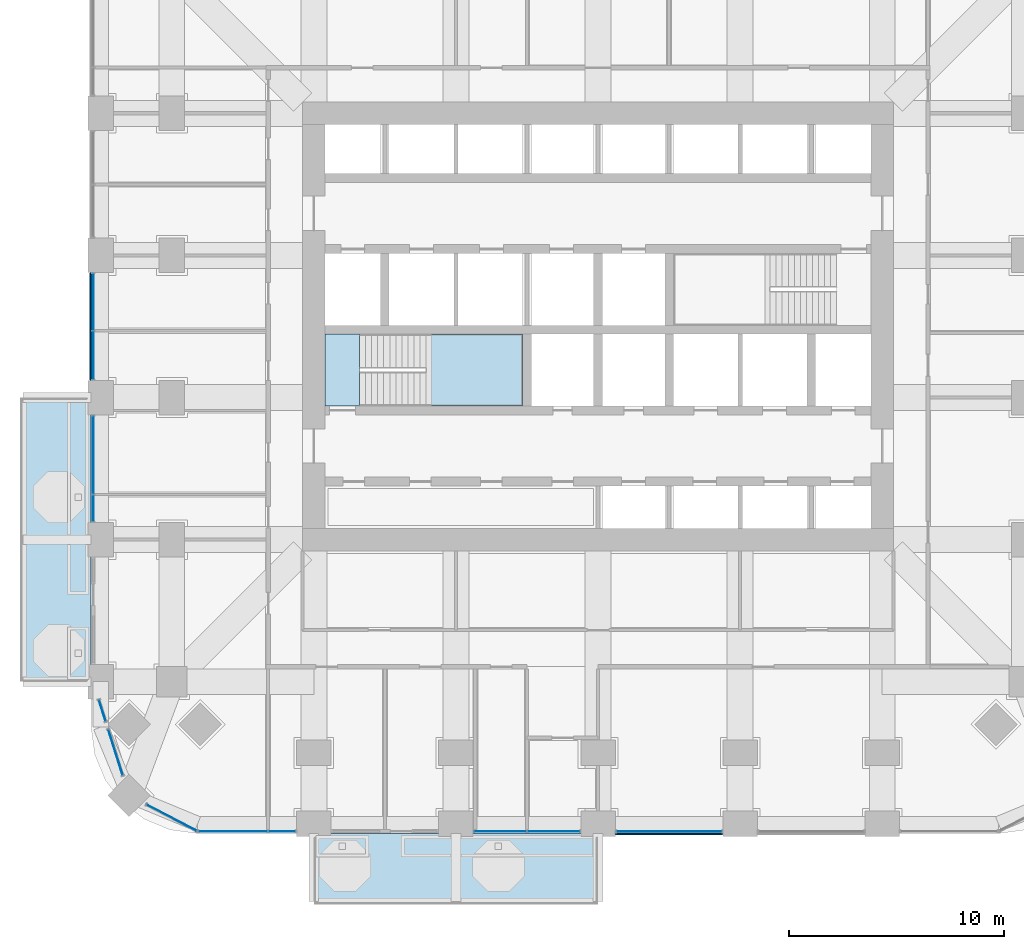
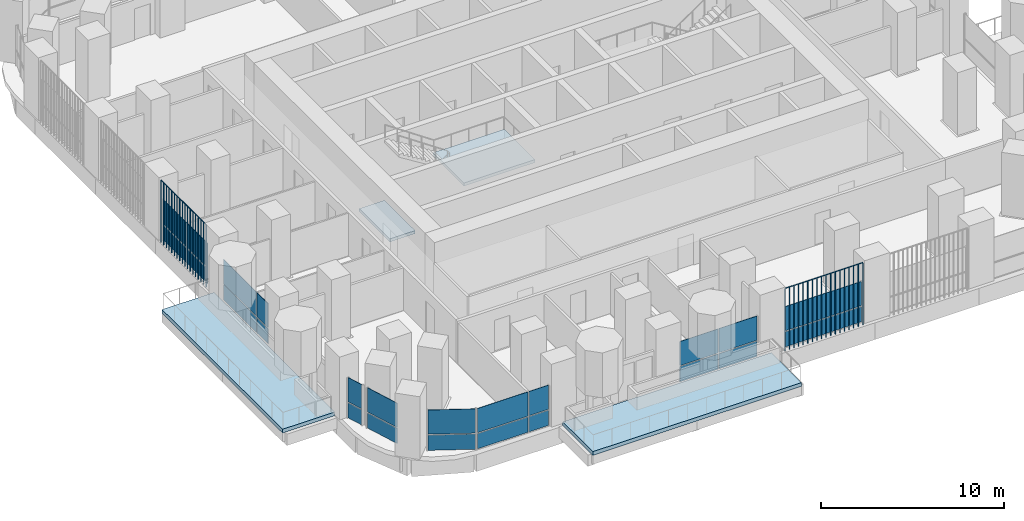
# One storey, part 8 of 21: 26 plates, 4 slabs, 9 elements without a shape of their own.
"""IFC4 building model written with IfcOpenShell, lengths in metres."""

from ifc_helpers import new_model, si_unit, direction, frame, origin, origin_2d, place, context, subcontext, project, spatial, polyline, rectangle, outline, extrude, material, layer, layer_set, type_object, element, aggregate, save


model = new_model("IFC4")

# Units and contexts
model_context = context("Model", 3, precision=1e-05, world=origin(), true_north=direction((0.0, 1.0)))
body_context = subcontext(model_context, "Body", "Model", "MODEL_VIEW")
ifc_project = project(units=[si_unit("LENGTHUNIT", "METRE"), si_unit("AREAUNIT", "SQUARE_METRE"), si_unit("VOLUMEUNIT", "CUBIC_METRE"), si_unit("PLANEANGLEUNIT", "RADIAN"), si_unit("MASSUNIT", "GRAM", prefix="KILO")], contexts=[model_context])

# Site, building, storey
site_placement = place(None, origin())
site = spatial("IfcSite", under=ifc_project, at=site_placement, CompositionType="ELEMENT")
building_placement = place(site_placement, origin())
building = spatial("IfcBuilding", under=site, at=building_placement, Name="Cobogo Forest Laboratory Tower", CompositionType="ELEMENT")
storey_placement = place(building_placement, frame((0.0, 0.0, 90.60009765625)))
storey = spatial("IfcBuildingStorey", under=building, at=storey_placement, Name="L20", CompositionType="ELEMENT", Elevation=90.60009765625)

# Slabs
ifc_material_1 = material(Name="Concrete HA-40 (C40/50)", Category="concrete")
ifc_layer_1 = layer(ifc_material_1, 0.25)
ifc_layer_set_1 = layer_set([ifc_layer_1], Name="Balcony slab 250")
slab_type_1 = type_object("IfcSlabType", Name="Balcony slab 250", PredefinedType="FLOOR", material=ifc_layer_set_1)
slab_1_placement = place(storey_placement, frame((0.0, 0.0, -0.25)))
element("IfcSlab", 1, at=slab_1_placement, inside=storey, type_object=slab_type_1, Name="Balcony BAL-S1 L20", PredefinedType="FLOOR", context=body_context, shape_type="SweptSolid", body=[
    extrude(outline(polyline([(13.199951171875, -3.75), (26.39990234375, -3.75), (26.39990234375, -0.449951171875), (13.199951171875, -0.449951171875), (13.199951171875, -3.75)])), origin(), (0.0, 0.0, 1.0), 0.25),
])
slab_2_placement = place(storey_placement, frame((0.0, 0.0, -0.25)))
element("IfcSlab", 2, at=slab_2_placement, inside=storey, type_object=slab_type_1, Name="Balcony BAL-W1 L20", PredefinedType="FLOOR", context=body_context, shape_type="SweptSolid", body=[
    extrude(outline(polyline([(-0.449951171875, 6.60009765625), (2.85009765625, 6.60009765625), (2.85009765625, 19.800048828125), (-0.449951171875, 19.800048828125), (-0.449951171875, 6.60009765625)])), origin(), (0.0, 0.0, 1.0), 0.25),
])

# Curtain wall, plates
ifc_material_2 = material(Name="Aluminium curtain wall", Category="aluminium")
curtain_wall_type = type_object("IfcCurtainWallType", Name="CW-1 unitised curtain wall, clear glazing, laboratory floors zones A and B", PredefinedType="USERDEFINED", material=ifc_material_2)
curtain_wall_1_placement = place(storey_placement, origin())
curtain_wall_1 = element("IfcCurtainWall", 3, at=curtain_wall_1_placement, inside=storey, type_object=curtain_wall_type, Name="Curtain wall 01 L20", ObjectType="UNITISED CURTAIN WALL", PredefinedType="USERDEFINED")
ifc_material_3 = material(Name="Clear insulated glass", Category="glass")
ifc_layer_2 = layer(ifc_material_3, 0.028076171875)
ifc_layer_set_2 = layer_set([ifc_layer_2], Name="GP-1 clear insulated glass unit 28")
plate_type_1 = type_object("IfcPlateType", Name="GP-1 clear insulated glass unit 28", PredefinedType="CURTAIN_PANEL", material=ifc_layer_set_2)
plate_1_placement = place(storey_placement, frame((9.452392578125, -0.35009765625, 0.0), z_axis=(0.0, 0.0, 1.0), x_axis=(1.0, 0.0, 0.0)))
plate_1 = element("IfcPlate", 4, at=plate_1_placement, type_object=plate_type_1, Name="CW-1 panel 1.1", PredefinedType="CURTAIN_PANEL", context=body_context, shape_type="SweptSolid", body=[
    extrude(rectangle(XDim=3.18505859375, YDim=0.028076171875, at=origin_2d()), origin(), (0.0, 0.0, 1.0), 1.02001953125),
])
plate_2_placement = place(storey_placement, frame((9.452392578125, -0.35009765625, 1.079833984375), z_axis=(0.0, 0.0, 1.0), x_axis=(1.0, 0.0, 0.0)))
plate_2 = element("IfcPlate", 5, at=plate_2_placement, type_object=plate_type_1, Name="CW-1 panel 1.2", PredefinedType="CURTAIN_PANEL", context=body_context, shape_type="SweptSolid", body=[
    extrude(rectangle(XDim=3.18505859375, YDim=0.028076171875, at=origin_2d()), origin(), (0.0, 0.0, 1.0), 1.6201171875),
])
plate_3_placement = place(storey_placement, frame((11.722412109375, -0.35009765625, 0.0), z_axis=(0.0, 0.0, 1.0), x_axis=(1.0, 0.0, 0.0)))
plate_3 = element("IfcPlate", 6, at=plate_3_placement, type_object=plate_type_1, Name="CW-1 panel 2.1", PredefinedType="CURTAIN_PANEL", context=body_context, shape_type="SweptSolid", body=[
    extrude(rectangle(XDim=1.235107421875, YDim=0.028076171875, at=origin_2d()), origin(), (0.0, 0.0, 1.0), 1.02001953125),
])
plate_4_placement = place(storey_placement, frame((11.722412109375, -0.35009765625, 1.079833984375), z_axis=(0.0, 0.0, 1.0), x_axis=(1.0, 0.0, 0.0)))
plate_4 = element("IfcPlate", 7, at=plate_4_placement, type_object=plate_type_1, Name="CW-1 panel 2.2", PredefinedType="CURTAIN_PANEL", context=body_context, shape_type="SweptSolid", body=[
    extrude(rectangle(XDim=1.235107421875, YDim=0.028076171875, at=origin_2d()), origin(), (0.0, 0.0, 1.0), 1.6201171875),
])
aggregate(curtain_wall_1, [plate_1, plate_2, plate_3, plate_4])

curtain_wall_2_placement = place(storey_placement, origin())
curtain_wall_2 = element("IfcCurtainWall", 8, at=curtain_wall_2_placement, inside=storey, type_object=curtain_wall_type, Name="Curtain wall 03 L20", ObjectType="UNITISED CURTAIN WALL", PredefinedType="USERDEFINED")
plate_5_placement = place(storey_placement, frame((21.864990234375, -0.35009765625, 0.0), z_axis=(0.0, 0.0, 1.0), x_axis=(1.0, 0.0, 0.0)))
plate_5 = element("IfcPlate", 9, at=plate_5_placement, type_object=plate_type_1, Name="CW-1 panel 1.1", PredefinedType="CURTAIN_PANEL", context=body_context, shape_type="SweptSolid", body=[
    extrude(rectangle(XDim=2.409912109375, YDim=0.028076171875, at=origin_2d()), origin(), (0.0, 0.0, 1.0), 1.02001953125),
])
plate_6_placement = place(storey_placement, frame((21.864990234375, -0.35009765625, 1.079833984375), z_axis=(0.0, 0.0, 1.0), x_axis=(1.0, 0.0, 0.0)))
plate_6 = element("IfcPlate", 10, at=plate_6_placement, type_object=plate_type_1, Name="CW-1 panel 1.2", PredefinedType="CURTAIN_PANEL", context=body_context, shape_type="SweptSolid", body=[
    extrude(rectangle(XDim=2.409912109375, YDim=0.028076171875, at=origin_2d()), origin(), (0.0, 0.0, 1.0), 1.6201171875),
])
plate_7_placement = place(storey_placement, frame((24.3349609375, -0.35009765625, 0.0), z_axis=(0.0, 0.0, 1.0), x_axis=(1.0, 0.0, 0.0)))
plate_7 = element("IfcPlate", 11, at=plate_7_placement, type_object=plate_type_1, Name="CW-1 panel 2.1", PredefinedType="CURTAIN_PANEL", context=body_context, shape_type="SweptSolid", body=[
    extrude(rectangle(XDim=2.409912109375, YDim=0.028076171875, at=origin_2d()), origin(), (0.0, 0.0, 1.0), 1.02001953125),
])
plate_8_placement = place(storey_placement, frame((24.3349609375, -0.35009765625, 1.079833984375), z_axis=(0.0, 0.0, 1.0), x_axis=(1.0, 0.0, 0.0)))
plate_8 = element("IfcPlate", 12, at=plate_8_placement, type_object=plate_type_1, Name="CW-1 panel 2.2", PredefinedType="CURTAIN_PANEL", context=body_context, shape_type="SweptSolid", body=[
    extrude(rectangle(XDim=2.409912109375, YDim=0.028076171875, at=origin_2d()), origin(), (0.0, 0.0, 1.0), 1.6201171875),
])
aggregate(curtain_wall_2, [plate_5, plate_6, plate_7, plate_8])

curtain_wall_3_placement = place(storey_placement, origin())
curtain_wall_3 = element("IfcCurtainWall", 13, at=curtain_wall_3_placement, inside=storey, type_object=curtain_wall_type, Name="Curtain wall 04 L20", ObjectType="UNITISED CURTAIN WALL", PredefinedType="USERDEFINED")
plate_9_placement = place(storey_placement, frame((29.699951171875, -0.35009765625, 0.0), z_axis=(0.0, 0.0, 1.0), x_axis=(1.0, 0.0, 0.0)))
plate_9 = element("IfcPlate", 14, at=plate_9_placement, type_object=plate_type_1, Name="CW-1 panel 1.1", PredefinedType="CURTAIN_PANEL", context=body_context, shape_type="SweptSolid", body=[
    extrude(rectangle(XDim=4.8798828125, YDim=0.028076171875, at=origin_2d()), origin(), (0.0, 0.0, 1.0), 1.02001953125),
])
plate_10_placement = place(storey_placement, frame((29.699951171875, -0.35009765625, 1.079833984375), z_axis=(0.0, 0.0, 1.0), x_axis=(1.0, 0.0, 0.0)))
plate_10 = element("IfcPlate", 15, at=plate_10_placement, type_object=plate_type_1, Name="CW-1 panel 1.2", PredefinedType="CURTAIN_PANEL", context=body_context, shape_type="SweptSolid", body=[
    extrude(rectangle(XDim=4.8798828125, YDim=0.028076171875, at=origin_2d()), origin(), (0.0, 0.0, 1.0), 1.6201171875),
])
aggregate(curtain_wall_3, [plate_9, plate_10])

curtain_wall_4_placement = place(storey_placement, origin())
curtain_wall_4 = element("IfcCurtainWall", 16, at=curtain_wall_4_placement, inside=storey, type_object=curtain_wall_type, Name="Curtain wall 29 L20", ObjectType="UNITISED CURTAIN WALL", PredefinedType="USERDEFINED")
plate_11_placement = place(storey_placement, frame((2.949951171875, 24.235107421875, 0.0), z_axis=(0.0, 0.0, 1.0), x_axis=(0.0, -1.0, 0.0)))
plate_11 = element("IfcPlate", 17, at=plate_11_placement, type_object=plate_type_1, Name="CW-1 panel 1.1", PredefinedType="CURTAIN_PANEL", context=body_context, shape_type="SweptSolid", body=[
    extrude(rectangle(XDim=2.610107421875, YDim=0.028076171875, at=origin_2d()), origin(), (0.0, 0.0, 1.0), 1.02001953125),
])
plate_12_placement = place(storey_placement, frame((2.949951171875, 24.235107421875, 1.079833984375), z_axis=(0.0, 0.0, 1.0), x_axis=(0.0, -1.0, 0.0)))
plate_12 = element("IfcPlate", 18, at=plate_12_placement, type_object=plate_type_1, Name="CW-1 panel 1.2", PredefinedType="CURTAIN_PANEL", context=body_context, shape_type="SweptSolid", body=[
    extrude(rectangle(XDim=2.610107421875, YDim=0.028076171875, at=origin_2d()), origin(), (0.0, 0.0, 1.0), 1.6201171875),
])
plate_13_placement = place(storey_placement, frame((2.949951171875, 21.764892578125, 0.0), z_axis=(0.0, 0.0, 1.0), x_axis=(0.0, -1.0, 0.0)))
plate_13 = element("IfcPlate", 19, at=plate_13_placement, type_object=plate_type_1, Name="CW-1 panel 2.1", PredefinedType="CURTAIN_PANEL", context=body_context, shape_type="SweptSolid", body=[
    extrude(rectangle(XDim=2.2099609375, YDim=0.028076171875, at=origin_2d()), origin(), (0.0, 0.0, 1.0), 1.02001953125),
])
plate_14_placement = place(storey_placement, frame((2.949951171875, 21.764892578125, 1.079833984375), z_axis=(0.0, 0.0, 1.0), x_axis=(0.0, -1.0, 0.0)))
plate_14 = element("IfcPlate", 20, at=plate_14_placement, type_object=plate_type_1, Name="CW-1 panel 2.2", PredefinedType="CURTAIN_PANEL", context=body_context, shape_type="SweptSolid", body=[
    extrude(rectangle(XDim=2.2099609375, YDim=0.028076171875, at=origin_2d()), origin(), (0.0, 0.0, 1.0), 1.6201171875),
])
aggregate(curtain_wall_4, [plate_11, plate_12, plate_13, plate_14])

curtain_wall_5_placement = place(storey_placement, origin())
curtain_wall_5 = element("IfcCurtainWall", 21, at=curtain_wall_5_placement, inside=storey, type_object=curtain_wall_type, Name="Curtain wall 30 L20", ObjectType="UNITISED CURTAIN WALL", PredefinedType="USERDEFINED")
plate_15_placement = place(storey_placement, frame((2.949951171875, 17.135009765625, 0.0), z_axis=(0.0, 0.0, 1.0), x_axis=(0.0, -1.0, 0.0)))
plate_15 = element("IfcPlate", 22, at=plate_15_placement, type_object=plate_type_1, Name="CW-1 panel 1.1", PredefinedType="CURTAIN_PANEL", context=body_context, shape_type="SweptSolid", body=[
    extrude(rectangle(XDim=3.610107421875, YDim=0.028076171875, at=origin_2d()), origin(), (0.0, 0.0, 1.0), 1.02001953125),
])
plate_16_placement = place(storey_placement, frame((2.949951171875, 17.135009765625, 1.079833984375), z_axis=(0.0, 0.0, 1.0), x_axis=(0.0, -1.0, 0.0)))
plate_16 = element("IfcPlate", 23, at=plate_16_placement, type_object=plate_type_1, Name="CW-1 panel 1.2", PredefinedType="CURTAIN_PANEL", context=body_context, shape_type="SweptSolid", body=[
    extrude(rectangle(XDim=3.610107421875, YDim=0.028076171875, at=origin_2d()), origin(), (0.0, 0.0, 1.0), 1.6201171875),
])
plate_17_placement = place(storey_placement, frame((2.949951171875, 14.6650390625, 0.0), z_axis=(0.0, 0.0, 1.0), x_axis=(0.0, -1.0, 0.0)))
plate_17 = element("IfcPlate", 24, at=plate_17_placement, type_object=plate_type_1, Name="CW-1 panel 2.1", PredefinedType="CURTAIN_PANEL", context=body_context, shape_type="SweptSolid", body=[
    extrude(rectangle(XDim=1.2099609375, YDim=0.028076171875, at=origin_2d()), origin(), (0.0, 0.0, 1.0), 1.02001953125),
])
plate_18_placement = place(storey_placement, frame((2.949951171875, 14.6650390625, 1.079833984375), z_axis=(0.0, 0.0, 1.0), x_axis=(0.0, -1.0, 0.0)))
plate_18 = element("IfcPlate", 25, at=plate_18_placement, type_object=plate_type_1, Name="CW-1 panel 2.2", PredefinedType="CURTAIN_PANEL", context=body_context, shape_type="SweptSolid", body=[
    extrude(rectangle(XDim=1.2099609375, YDim=0.028076171875, at=origin_2d()), origin(), (0.0, 0.0, 1.0), 1.6201171875),
])
aggregate(curtain_wall_5, [plate_15, plate_16, plate_17, plate_18])

curtain_wall_6_placement = place(storey_placement, origin())
curtain_wall_6 = element("IfcCurtainWall", 26, at=curtain_wall_6_placement, inside=storey, type_object=curtain_wall_type, Name="Curtain wall 32 L20", ObjectType="UNITISED CURTAIN WALL", PredefinedType="USERDEFINED")
plate_19_placement = place(storey_placement, frame((3.37353515625, 5.259033203125, 0.0), z_axis=(0.0, 0.0, 1.0), x_axis=(0.3011355018, -0.953581359694, 0.0)))
plate_19 = element("IfcPlate", 27, at=plate_19_placement, type_object=plate_type_1, Name="CW-1 panel 1.1", PredefinedType="CURTAIN_PANEL", context=body_context, shape_type="SweptSolid", body=[
    extrude(rectangle(XDim=1.0146484375, YDim=0.028076171875, at=origin_2d()), origin(), (0.0, 0.0, 1.0), 1.02001953125),
])
plate_20_placement = place(storey_placement, frame((3.37353515625, 5.259033203125, 1.079833984375), z_axis=(0.0, 0.0, 1.0), x_axis=(0.3011355018, -0.953581359694, 0.0)))
plate_20 = element("IfcPlate", 28, at=plate_20_placement, type_object=plate_type_1, Name="CW-1 panel 1.2", PredefinedType="CURTAIN_PANEL", context=body_context, shape_type="SweptSolid", body=[
    extrude(rectangle(XDim=1.0146484375, YDim=0.028076171875, at=origin_2d()), origin(), (0.0, 0.0, 1.0), 1.6201171875),
])
aggregate(curtain_wall_6, [plate_19, plate_20])

curtain_wall_7_placement = place(storey_placement, origin())
curtain_wall_7 = element("IfcCurtainWall", 29, at=curtain_wall_7_placement, inside=storey, type_object=curtain_wall_type, Name="Curtain wall 33 L20", ObjectType="UNITISED CURTAIN WALL", PredefinedType="USERDEFINED")
plate_21_placement = place(storey_placement, frame((3.986572265625, 3.31787109375, 0.0), z_axis=(0.0, 0.0, 1.0), x_axis=(0.301135343623, -0.953581409645, 0.0)))
plate_21 = element("IfcPlate", 30, at=plate_21_placement, type_object=plate_type_1, Name="CW-1 panel 1.1", PredefinedType="CURTAIN_PANEL", context=body_context, shape_type="SweptSolid", body=[
    extrude(rectangle(XDim=2.203369140625, YDim=0.028076171875, at=origin_2d()), origin(), (0.0, 0.0, 1.0), 1.02001953125),
])
plate_22_placement = place(storey_placement, frame((3.986572265625, 3.31787109375, 1.079833984375), z_axis=(0.0, 0.0, 1.0), x_axis=(0.301135343623, -0.953581409645, 0.0)))
plate_22 = element("IfcPlate", 31, at=plate_22_placement, type_object=plate_type_1, Name="CW-1 panel 1.2", PredefinedType="CURTAIN_PANEL", context=body_context, shape_type="SweptSolid", body=[
    extrude(rectangle(XDim=2.203369140625, YDim=0.028076171875, at=origin_2d()), origin(), (0.0, 0.0, 1.0), 1.6201171875),
])
aggregate(curtain_wall_7, [plate_21, plate_22])

curtain_wall_8_placement = place(storey_placement, origin())
curtain_wall_8 = element("IfcCurtainWall", 32, at=curtain_wall_8_placement, inside=storey, type_object=curtain_wall_type, Name="Curtain wall 34 L20", ObjectType="UNITISED CURTAIN WALL", PredefinedType="USERDEFINED")
plate_23_placement = place(storey_placement, frame((6.593994140625, 0.2822265625, 0.0), z_axis=(0.0, 0.0, 1.0), x_axis=(0.885686540666, -0.464283697413, 0.0)))
plate_23 = element("IfcPlate", 33, at=plate_23_placement, type_object=plate_type_1, Name="CW-1 panel 1.1", PredefinedType="CURTAIN_PANEL", context=body_context, shape_type="SweptSolid", body=[
    extrude(rectangle(XDim=2.603271484375, YDim=0.028076171875, at=origin_2d()), origin(), (0.0, 0.0, 1.0), 1.02001953125),
])
plate_24_placement = place(storey_placement, frame((6.593994140625, 0.2822265625, 1.079833984375), z_axis=(0.0, 0.0, 1.0), x_axis=(0.885686540666, -0.464283697413, 0.0)))
plate_24 = element("IfcPlate", 34, at=plate_24_placement, type_object=plate_type_1, Name="CW-1 panel 1.2", PredefinedType="CURTAIN_PANEL", context=body_context, shape_type="SweptSolid", body=[
    extrude(rectangle(XDim=2.603271484375, YDim=0.028076171875, at=origin_2d()), origin(), (0.0, 0.0, 1.0), 1.6201171875),
])
aggregate(curtain_wall_8, [plate_23, plate_24])

# Stair, slabs
ifc_material_4 = material(Name="Precast concrete HA-40 (C40/50)", Category="concrete")
stair_type = type_object("IfcStairType", Name="ST24 exit stair 24 risers", PredefinedType="HALF_TURN_STAIR", material=ifc_material_4)
stair_placement = place(storey_placement, origin())
stair = element("IfcStair", 35, at=stair_placement, inside=storey, type_object=stair_type, Name="Stair 1 L20 to L21", PredefinedType="HALF_TURN_STAIR")
ifc_layer_3 = layer(ifc_material_1, 0.199951171875)
ifc_layer_set_3 = layer_set([ifc_layer_3], Name="SL stair landing 200")
slab_type_2 = type_object("IfcSlabType", Name="SL stair landing 200", PredefinedType="LANDING", material=ifc_layer_set_3)
slab_3_placement = place(storey_placement, frame((0.0, 0.0, -0.2001953125)))
slab_3 = element("IfcSlab", 36, at=slab_3_placement, type_object=slab_type_2, Name="ST1 landing 1", PredefinedType="LANDING", context=body_context, shape_type="SweptSolid", body=[
    extrude(outline(polyline([(13.72509765625, 19.39990234375), (15.326904296875, 19.39990234375), (15.326904296875, 22.75), (13.72509765625, 22.75), (13.72509765625, 19.39990234375)])), origin(), (0.0, 0.0, 1.0), 0.2001953125),
])
slab_4_placement = place(storey_placement, frame((0.0, 0.0, 1.89990234375)))
slab_4 = element("IfcSlab", 37, at=slab_4_placement, type_object=slab_type_2, Name="ST1 landing 2", PredefinedType="LANDING", context=body_context, shape_type="SweptSolid", body=[
    extrude(outline(polyline([(18.403076171875, 19.39990234375), (22.89990234375, 19.39990234375), (22.89990234375, 22.75), (18.403076171875, 22.75), (18.403076171875, 19.39990234375)])), origin(), (0.0, 0.0, 1.0), 0.199951171875),
])
aggregate(stair, [slab_3, slab_4])

# Plates
ifc_material_5 = material(Name="Terracotta", Category="masonry")
plate_type_2 = type_object("IfcPlateType", Name="TB1 terracotta baguette screen", PredefinedType="USERDEFINED", material=ifc_material_5)
plate_25_placement = place(storey_placement, frame((27.231201171875, -0.477783203125, -0.150146484375)))
element("IfcPlate", 38, at=plate_25_placement, inside=storey, type_object=plate_type_2, Name="Baguette screen S3 L20", ObjectType="BAGUETTE SCREEN", PredefinedType="USERDEFINED", context=body_context, shape_type="SweptSolid", body=[
    extrude(outline(polyline([(0.02880859375, 0.011962890625), (0.011962890625, 0.02880859375), (-0.011962890625, 0.02880859375), (-0.02880859375, 0.011962890625), (-0.02880859375, -0.011962890625), (-0.011962890625, -0.02880859375), (0.011962890625, -0.02880859375), (0.02880859375, -0.011962890625), (0.02880859375, 0.011962890625)])), frame((0.0, 0.0, 4.168701171875), z_axis=(1.0, 0.0, 0.0), x_axis=(0.0, 1.0, 0.0)), (0.0, 0.0, 1.0), 4.9375),
    extrude(outline(polyline([(0.02880859375, 0.011962890625), (0.011962890625, 0.02880859375), (-0.011962890625, 0.02880859375), (-0.02880859375, 0.011962890625), (-0.02880859375, -0.011962890625), (-0.011962890625, -0.02880859375), (0.011962890625, -0.02880859375), (0.02880859375, -0.011962890625), (0.02880859375, 0.011962890625)])), origin(), (0.0, 0.0, 1.0), 4.137451171875),
    extrude(outline(polyline([(0.02880859375, 0.011962890625), (0.011962890625, 0.02880859375), (-0.011962890625, 0.02880859375), (-0.02880859375, 0.011962890625), (-0.02880859375, -0.011962890625), (-0.011962890625, -0.02880859375), (0.011962890625, -0.02880859375), (0.02880859375, -0.011962890625), (0.02880859375, 0.011962890625)])), frame((0.29052734375, 0.0, 0.0)), (0.0, 0.0, 1.0), 4.137451171875),
    extrude(outline(polyline([(0.02880859375, 0.011962890625), (0.011962890625, 0.02880859375), (-0.011962890625, 0.02880859375), (-0.02880859375, 0.011962890625), (-0.02880859375, -0.011962890625), (-0.011962890625, -0.02880859375), (0.011962890625, -0.02880859375), (0.02880859375, -0.011962890625), (0.02880859375, 0.011962890625)])), frame((0.580810546875, 0.0, 0.0)), (0.0, 0.0, 1.0), 4.137451171875),
    extrude(outline(polyline([(0.02880859375, 0.011962890625), (0.011962890625, 0.02880859375), (-0.011962890625, 0.02880859375), (-0.02880859375, 0.011962890625), (-0.02880859375, -0.011962890625), (-0.011962890625, -0.02880859375), (0.011962890625, -0.02880859375), (0.02880859375, -0.011962890625), (0.02880859375, 0.011962890625)])), frame((0.871337890625, 0.0, 0.0)), (0.0, 0.0, 1.0), 4.137451171875),
    extrude(outline(polyline([(0.02880859375, 0.011962890625), (0.011962890625, 0.02880859375), (-0.011962890625, 0.02880859375), (-0.02880859375, 0.011962890625), (-0.02880859375, -0.011962890625), (-0.011962890625, -0.02880859375), (0.011962890625, -0.02880859375), (0.02880859375, -0.011962890625), (0.02880859375, 0.011962890625)])), frame((1.161865234375, 0.0, 0.0)), (0.0, 0.0, 1.0), 4.137451171875),
    extrude(outline(polyline([(0.02880859375, 0.011962890625), (0.011962890625, 0.02880859375), (-0.011962890625, 0.02880859375), (-0.02880859375, 0.011962890625), (-0.02880859375, -0.011962890625), (-0.011962890625, -0.02880859375), (0.011962890625, -0.02880859375), (0.02880859375, -0.011962890625), (0.02880859375, 0.011962890625)])), frame((1.4521484375, 0.0, 0.0)), (0.0, 0.0, 1.0), 4.137451171875),
    extrude(outline(polyline([(0.02880859375, 0.011962890625), (0.011962890625, 0.02880859375), (-0.011962890625, 0.02880859375), (-0.02880859375, 0.011962890625), (-0.02880859375, -0.011962890625), (-0.011962890625, -0.02880859375), (0.011962890625, -0.02880859375), (0.02880859375, -0.011962890625), (0.02880859375, 0.011962890625)])), frame((1.74267578125, 0.0, 0.0)), (0.0, 0.0, 1.0), 4.137451171875),
    extrude(outline(polyline([(0.02880859375, 0.011962890625), (0.011962890625, 0.02880859375), (-0.011962890625, 0.02880859375), (-0.02880859375, 0.011962890625), (-0.02880859375, -0.011962890625), (-0.011962890625, -0.02880859375), (0.011962890625, -0.02880859375), (0.02880859375, -0.011962890625), (0.02880859375, 0.011962890625)])), frame((2.033203125, 0.0, 0.0)), (0.0, 0.0, 1.0), 4.137451171875),
    extrude(outline(polyline([(0.02880859375, 0.011962890625), (0.011962890625, 0.02880859375), (-0.011962890625, 0.02880859375), (-0.02880859375, 0.011962890625), (-0.02880859375, -0.011962890625), (-0.011962890625, -0.02880859375), (0.011962890625, -0.02880859375), (0.02880859375, -0.011962890625), (0.02880859375, 0.011962890625)])), frame((2.323486328125, 0.0, 0.0)), (0.0, 0.0, 1.0), 4.137451171875),
    extrude(outline(polyline([(0.02880859375, 0.011962890625), (0.011962890625, 0.02880859375), (-0.011962890625, 0.02880859375), (-0.02880859375, 0.011962890625), (-0.02880859375, -0.011962890625), (-0.011962890625, -0.02880859375), (0.011962890625, -0.02880859375), (0.02880859375, -0.011962890625), (0.02880859375, 0.011962890625)])), frame((2.614013671875, 0.0, 0.0)), (0.0, 0.0, 1.0), 4.137451171875),
    extrude(outline(polyline([(0.02880859375, 0.011962890625), (0.011962890625, 0.02880859375), (-0.011962890625, 0.02880859375), (-0.02880859375, 0.011962890625), (-0.02880859375, -0.011962890625), (-0.011962890625, -0.02880859375), (0.011962890625, -0.02880859375), (0.02880859375, -0.011962890625), (0.02880859375, 0.011962890625)])), frame((2.904296875, 0.0, 0.0)), (0.0, 0.0, 1.0), 4.137451171875),
    extrude(outline(polyline([(0.02880859375, 0.011962890625), (0.011962890625, 0.02880859375), (-0.011962890625, 0.02880859375), (-0.02880859375, 0.011962890625), (-0.02880859375, -0.011962890625), (-0.011962890625, -0.02880859375), (0.011962890625, -0.02880859375), (0.02880859375, -0.011962890625), (0.02880859375, 0.011962890625)])), frame((3.19482421875, 0.0, 0.0)), (0.0, 0.0, 1.0), 4.137451171875),
    extrude(outline(polyline([(0.02880859375, 0.011962890625), (0.011962890625, 0.02880859375), (-0.011962890625, 0.02880859375), (-0.02880859375, 0.011962890625), (-0.02880859375, -0.011962890625), (-0.011962890625, -0.02880859375), (0.011962890625, -0.02880859375), (0.02880859375, -0.011962890625), (0.02880859375, 0.011962890625)])), frame((3.4853515625, 0.0, 0.0)), (0.0, 0.0, 1.0), 4.137451171875),
    extrude(outline(polyline([(0.02880859375, 0.011962890625), (0.011962890625, 0.02880859375), (-0.011962890625, 0.02880859375), (-0.02880859375, 0.011962890625), (-0.02880859375, -0.011962890625), (-0.011962890625, -0.02880859375), (0.011962890625, -0.02880859375), (0.02880859375, -0.011962890625), (0.02880859375, 0.011962890625)])), frame((3.775634765625, 0.0, 0.0)), (0.0, 0.0, 1.0), 4.137451171875),
    extrude(outline(polyline([(0.02880859375, 0.011962890625), (0.011962890625, 0.02880859375), (-0.011962890625, 0.02880859375), (-0.02880859375, 0.011962890625), (-0.02880859375, -0.011962890625), (-0.011962890625, -0.02880859375), (0.011962890625, -0.02880859375), (0.02880859375, -0.011962890625), (0.02880859375, 0.011962890625)])), frame((4.066162109375, 0.0, 0.0)), (0.0, 0.0, 1.0), 4.137451171875),
    extrude(outline(polyline([(0.02880859375, 0.011962890625), (0.011962890625, 0.02880859375), (-0.011962890625, 0.02880859375), (-0.02880859375, 0.011962890625), (-0.02880859375, -0.011962890625), (-0.011962890625, -0.02880859375), (0.011962890625, -0.02880859375), (0.02880859375, -0.011962890625), (0.02880859375, 0.011962890625)])), frame((4.356689453125, 0.0, 0.0)), (0.0, 0.0, 1.0), 4.137451171875),
    extrude(outline(polyline([(0.02880859375, 0.011962890625), (0.011962890625, 0.02880859375), (-0.011962890625, 0.02880859375), (-0.02880859375, 0.011962890625), (-0.02880859375, -0.011962890625), (-0.011962890625, -0.02880859375), (0.011962890625, -0.02880859375), (0.02880859375, -0.011962890625), (0.02880859375, 0.011962890625)])), frame((4.64697265625, 0.0, 0.0)), (0.0, 0.0, 1.0), 4.137451171875),
    extrude(outline(polyline([(0.02880859375, 0.011962890625), (0.011962890625, 0.02880859375), (-0.011962890625, 0.02880859375), (-0.02880859375, 0.011962890625), (-0.02880859375, -0.011962890625), (-0.011962890625, -0.02880859375), (0.011962890625, -0.02880859375), (0.02880859375, -0.011962890625), (0.02880859375, 0.011962890625)])), frame((4.9375, 0.0, 0.0)), (0.0, 0.0, 1.0), 4.137451171875),
])
plate_26_placement = place(storey_placement, frame((2.822021484375, 20.63134765625, -0.150146484375)))
element("IfcPlate", 39, at=plate_26_placement, inside=storey, type_object=plate_type_2, Name="Baguette screen W3 L20", ObjectType="BAGUETTE SCREEN", PredefinedType="USERDEFINED", context=body_context, shape_type="SweptSolid", body=[
    extrude(outline(polyline([(0.02880859375, 0.011962890625), (0.011962890625, 0.02880859375), (-0.011962890625, 0.02880859375), (-0.02880859375, 0.011962890625), (-0.02880859375, -0.011962890625), (-0.011962890625, -0.02880859375), (0.011962890625, -0.02880859375), (0.02880859375, -0.011962890625), (0.02880859375, 0.011962890625)])), frame((0.0, 0.0, 4.168701171875), z_axis=(0.0, 1.0, 0.0), x_axis=(-1.0, 0.0, 0.0)), (0.0, 0.0, 1.0), 4.9375),
    extrude(outline(polyline([(0.02880859375, 0.011962890625), (0.011962890625, 0.02880859375), (-0.011962890625, 0.02880859375), (-0.02880859375, 0.011962890625), (-0.02880859375, -0.011962890625), (-0.011962890625, -0.02880859375), (0.011962890625, -0.02880859375), (0.02880859375, -0.011962890625), (0.02880859375, 0.011962890625)])), origin(), (0.0, 0.0, 1.0), 4.137451171875),
    extrude(outline(polyline([(0.02880859375, 0.011962890625), (0.011962890625, 0.02880859375), (-0.011962890625, 0.02880859375), (-0.02880859375, 0.011962890625), (-0.02880859375, -0.011962890625), (-0.011962890625, -0.02880859375), (0.011962890625, -0.02880859375), (0.02880859375, -0.011962890625), (0.02880859375, 0.011962890625)])), frame((0.0, 0.29052734375, 0.0)), (0.0, 0.0, 1.0), 4.137451171875),
    extrude(outline(polyline([(0.02880859375, 0.011962890625), (0.011962890625, 0.02880859375), (-0.011962890625, 0.02880859375), (-0.02880859375, 0.011962890625), (-0.02880859375, -0.011962890625), (-0.011962890625, -0.02880859375), (0.011962890625, -0.02880859375), (0.02880859375, -0.011962890625), (0.02880859375, 0.011962890625)])), frame((0.0, 0.580810546875, 0.0)), (0.0, 0.0, 1.0), 4.137451171875),
    extrude(outline(polyline([(0.02880859375, 0.011962890625), (0.011962890625, 0.02880859375), (-0.011962890625, 0.02880859375), (-0.02880859375, 0.011962890625), (-0.02880859375, -0.011962890625), (-0.011962890625, -0.02880859375), (0.011962890625, -0.02880859375), (0.02880859375, -0.011962890625), (0.02880859375, 0.011962890625)])), frame((0.0, 0.871337890625, 0.0)), (0.0, 0.0, 1.0), 4.137451171875),
    extrude(outline(polyline([(0.02880859375, 0.011962890625), (0.011962890625, 0.02880859375), (-0.011962890625, 0.02880859375), (-0.02880859375, 0.011962890625), (-0.02880859375, -0.011962890625), (-0.011962890625, -0.02880859375), (0.011962890625, -0.02880859375), (0.02880859375, -0.011962890625), (0.02880859375, 0.011962890625)])), frame((0.0, 1.161865234375, 0.0)), (0.0, 0.0, 1.0), 4.137451171875),
    extrude(outline(polyline([(0.02880859375, 0.011962890625), (0.011962890625, 0.02880859375), (-0.011962890625, 0.02880859375), (-0.02880859375, 0.011962890625), (-0.02880859375, -0.011962890625), (-0.011962890625, -0.02880859375), (0.011962890625, -0.02880859375), (0.02880859375, -0.011962890625), (0.02880859375, 0.011962890625)])), frame((0.0, 1.4521484375, 0.0)), (0.0, 0.0, 1.0), 4.137451171875),
    extrude(outline(polyline([(0.02880859375, 0.011962890625), (0.011962890625, 0.02880859375), (-0.011962890625, 0.02880859375), (-0.02880859375, 0.011962890625), (-0.02880859375, -0.011962890625), (-0.011962890625, -0.02880859375), (0.011962890625, -0.02880859375), (0.02880859375, -0.011962890625), (0.02880859375, 0.011962890625)])), frame((0.0, 1.74267578125, 0.0)), (0.0, 0.0, 1.0), 4.137451171875),
    extrude(outline(polyline([(0.02880859375, 0.011962890625), (0.011962890625, 0.02880859375), (-0.011962890625, 0.02880859375), (-0.02880859375, 0.011962890625), (-0.02880859375, -0.011962890625), (-0.011962890625, -0.02880859375), (0.011962890625, -0.02880859375), (0.02880859375, -0.011962890625), (0.02880859375, 0.011962890625)])), frame((0.0, 2.033203125, 0.0)), (0.0, 0.0, 1.0), 4.137451171875),
    extrude(outline(polyline([(0.02880859375, 0.011962890625), (0.011962890625, 0.02880859375), (-0.011962890625, 0.02880859375), (-0.02880859375, 0.011962890625), (-0.02880859375, -0.011962890625), (-0.011962890625, -0.02880859375), (0.011962890625, -0.02880859375), (0.02880859375, -0.011962890625), (0.02880859375, 0.011962890625)])), frame((0.0, 2.323486328125, 0.0)), (0.0, 0.0, 1.0), 4.137451171875),
    extrude(outline(polyline([(0.02880859375, 0.011962890625), (0.011962890625, 0.02880859375), (-0.011962890625, 0.02880859375), (-0.02880859375, 0.011962890625), (-0.02880859375, -0.011962890625), (-0.011962890625, -0.02880859375), (0.011962890625, -0.02880859375), (0.02880859375, -0.011962890625), (0.02880859375, 0.011962890625)])), frame((0.0, 2.614013671875, 0.0)), (0.0, 0.0, 1.0), 4.137451171875),
    extrude(outline(polyline([(0.02880859375, 0.011962890625), (0.011962890625, 0.02880859375), (-0.011962890625, 0.02880859375), (-0.02880859375, 0.011962890625), (-0.02880859375, -0.011962890625), (-0.011962890625, -0.02880859375), (0.011962890625, -0.02880859375), (0.02880859375, -0.011962890625), (0.02880859375, 0.011962890625)])), frame((0.0, 2.904296875, 0.0)), (0.0, 0.0, 1.0), 4.137451171875),
    extrude(outline(polyline([(0.02880859375, 0.011962890625), (0.011962890625, 0.02880859375), (-0.011962890625, 0.02880859375), (-0.02880859375, 0.011962890625), (-0.02880859375, -0.011962890625), (-0.011962890625, -0.02880859375), (0.011962890625, -0.02880859375), (0.02880859375, -0.011962890625), (0.02880859375, 0.011962890625)])), frame((0.0, 3.19482421875, 0.0)), (0.0, 0.0, 1.0), 4.137451171875),
    extrude(outline(polyline([(0.02880859375, 0.011962890625), (0.011962890625, 0.02880859375), (-0.011962890625, 0.02880859375), (-0.02880859375, 0.011962890625), (-0.02880859375, -0.011962890625), (-0.011962890625, -0.02880859375), (0.011962890625, -0.02880859375), (0.02880859375, -0.011962890625), (0.02880859375, 0.011962890625)])), frame((0.0, 3.4853515625, 0.0)), (0.0, 0.0, 1.0), 4.137451171875),
    extrude(outline(polyline([(0.02880859375, 0.011962890625), (0.011962890625, 0.02880859375), (-0.011962890625, 0.02880859375), (-0.02880859375, 0.011962890625), (-0.02880859375, -0.011962890625), (-0.011962890625, -0.02880859375), (0.011962890625, -0.02880859375), (0.02880859375, -0.011962890625), (0.02880859375, 0.011962890625)])), frame((0.0, 3.775634765625, 0.0)), (0.0, 0.0, 1.0), 4.137451171875),
    extrude(outline(polyline([(0.02880859375, 0.011962890625), (0.011962890625, 0.02880859375), (-0.011962890625, 0.02880859375), (-0.02880859375, 0.011962890625), (-0.02880859375, -0.011962890625), (-0.011962890625, -0.02880859375), (0.011962890625, -0.02880859375), (0.02880859375, -0.011962890625), (0.02880859375, 0.011962890625)])), frame((0.0, 4.066162109375, 0.0)), (0.0, 0.0, 1.0), 4.137451171875),
    extrude(outline(polyline([(0.02880859375, 0.011962890625), (0.011962890625, 0.02880859375), (-0.011962890625, 0.02880859375), (-0.02880859375, 0.011962890625), (-0.02880859375, -0.011962890625), (-0.011962890625, -0.02880859375), (0.011962890625, -0.02880859375), (0.02880859375, -0.011962890625), (0.02880859375, 0.011962890625)])), frame((0.0, 4.356689453125, 0.0)), (0.0, 0.0, 1.0), 4.137451171875),
    extrude(outline(polyline([(0.02880859375, 0.011962890625), (0.011962890625, 0.02880859375), (-0.011962890625, 0.02880859375), (-0.02880859375, 0.011962890625), (-0.02880859375, -0.011962890625), (-0.011962890625, -0.02880859375), (0.011962890625, -0.02880859375), (0.02880859375, -0.011962890625), (0.02880859375, 0.011962890625)])), frame((0.0, 4.64697265625, 0.0)), (0.0, 0.0, 1.0), 4.137451171875),
    extrude(outline(polyline([(0.02880859375, 0.011962890625), (0.011962890625, 0.02880859375), (-0.011962890625, 0.02880859375), (-0.02880859375, 0.011962890625), (-0.02880859375, -0.011962890625), (-0.011962890625, -0.02880859375), (0.011962890625, -0.02880859375), (0.02880859375, -0.011962890625), (0.02880859375, 0.011962890625)])), frame((0.0, 4.9375, 0.0)), (0.0, 0.0, 1.0), 4.137451171875),
])

save(model, "model.ifc")
